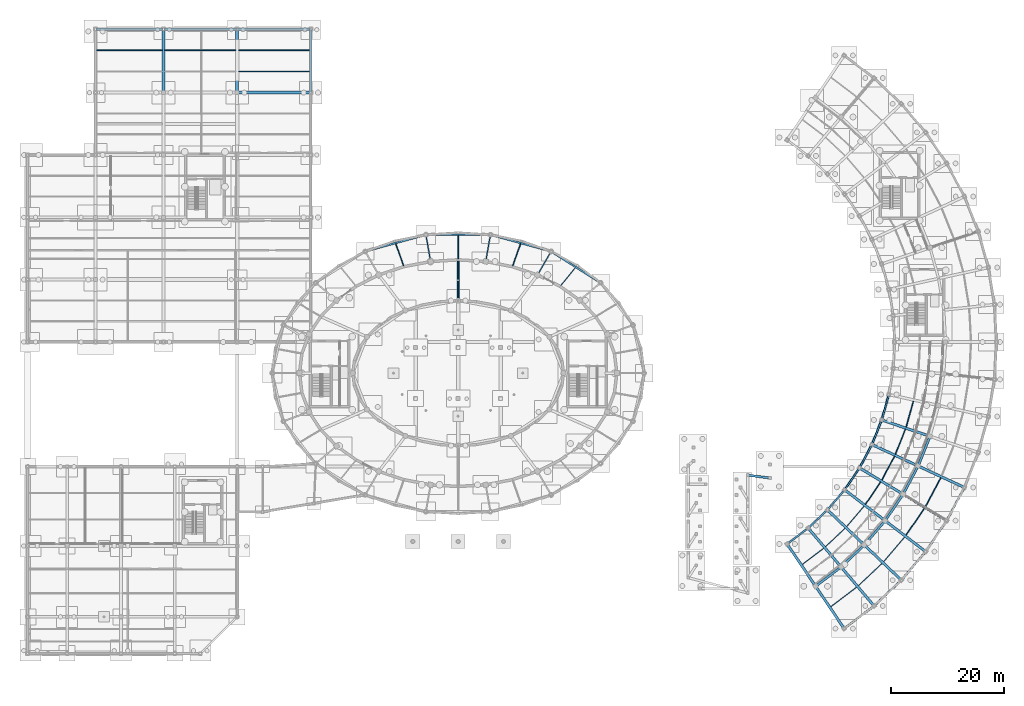
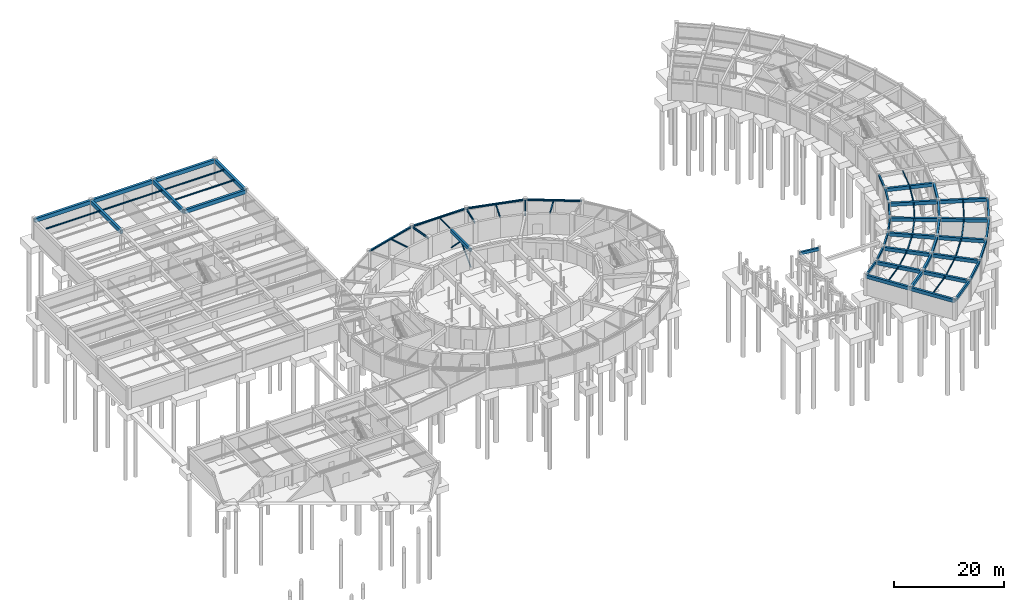
# One storey, part 15 of 42: 67 beams, 2 members.
"""IFC4 building model written with IfcOpenShell, lengths in metres."""

from ifc_helpers import new_model, si_unit, direction, frame, origin, origin_2d, place, context, subcontext, project, spatial, rectangle, hollow_circle, i_section, extrude, material, material_profile, profile_set, type_object, element, save


model = new_model("IFC4")

# Units and contexts
model_context = context("Model", 3, precision=1e-05, world=origin(), true_north=direction((0.0, 1.0)))
body_context = subcontext(model_context, "Body", "Model", "MODEL_VIEW")
ifc_project = project(units=[si_unit("LENGTHUNIT", "METRE"), si_unit("AREAUNIT", "SQUARE_METRE"), si_unit("VOLUMEUNIT", "CUBIC_METRE"), si_unit("PLANEANGLEUNIT", "RADIAN"), si_unit("MASSUNIT", "GRAM", prefix="KILO")], contexts=[model_context])

# Site, building, storey
site_placement = place(None, origin())
site = spatial("IfcSite", under=ifc_project, at=site_placement, CompositionType="ELEMENT")
building_placement = place(site_placement, origin())
building = spatial("IfcBuilding", under=site, at=building_placement, Name="Tarnveldt Headland Concert Hall", CompositionType="ELEMENT")
storey_placement = place(building_placement, frame((0.0, 0.0, -4.800048828125)))
storey = spatial("IfcBuildingStorey", under=building, at=storey_placement, Name="B1", CompositionType="ELEMENT", Elevation=-4.800048828125)

# Members
ifc_material_1 = material(Name="Steel S355", Category="steel")
ifc_material_profile_1 = material_profile(ifc_material_1, hollow_circle(Radius=0.136474609375, WallThickness=0.01611328125, at=origin_2d()), Name="CHS 273x16", Category="steel")
ifc_profile_set_1 = profile_set([ifc_material_profile_1], Name="Steel S355")
member_type = type_object("IfcMemberType", Name="BR-CHS273", PredefinedType="BRACE", material=ifc_profile_set_1)
member_1_placement = place(storey_placement, frame((83.5, 67.300048828125, 0.300048828125), z_axis=(0.0, 0.702208523079, 0.711971340796), x_axis=(-1.0, 0.0, 0.0)))
element("IfcMember", 1, at=member_1_placement, inside=storey, type_object=member_type, Name="Acoustic drum chevron brace B1-5A", PredefinedType="BRACE", context=body_context, shape_type="SweptSolid", body=[
    extrude(hollow_circle(Radius=0.136474609375, WallThickness=0.01611328125, at=origin_2d()), origin(), (0.0, 0.0, 1.0), 5.12646484375),
])
member_2_placement = place(storey_placement, frame((83.5, 74.5, 0.300048828125), z_axis=(0.0, -0.702232662373, 0.711947531702), x_axis=(1.0, 0.0, 0.0)))
element("IfcMember", 2, at=member_2_placement, inside=storey, type_object=member_type, Name="Acoustic drum chevron brace B1-5B", PredefinedType="BRACE", context=body_context, shape_type="SweptSolid", body=[
    extrude(hollow_circle(Radius=0.136474609375, WallThickness=0.01611328125, at=origin_2d()), origin(), (0.0, 0.0, 1.0), 5.126708984375),
])

# Beams
ifc_material_2 = material(Name="Concrete C40/50", Category="concrete")
ifc_material_profile_2 = material_profile(ifc_material_2, rectangle(XDim=0.39990234375, YDim=0.64990234375, at=origin_2d()), Name="RC 400x650", Category="concrete")
ifc_profile_set_2 = profile_set([ifc_material_profile_2], Name="Concrete C40/50")
beam_type_1 = type_object("IfcBeamType", Name="CB-400x650", PredefinedType="BEAM", material=ifc_profile_set_2)
beam_1_placement = place(storey_placement, frame((146.625732421875, 16.92626953125, 4.175048828125), z_axis=(0.79747936857, 0.603346216285, 0.0), x_axis=(-0.603346216285, 0.79747936857, 0.0)))
element("IfcBeam", 3, at=beam_1_placement, inside=storey, type_object=beam_type_1, Name="Framing beam B1-85", PredefinedType="BEAM", context=body_context, shape_type="SweptSolid", body=[
    extrude(rectangle(XDim=0.39990234375, YDim=0.64990234375, at=origin_2d()), origin(), (0.0, 0.0, 1.0), 5.524658203125),
])
for number, where, z_axis, x_axis, name in (
    (4, (151.122802734375, 20.3369140625, 4.175048828125), (0.727401560734, 0.686212044081, 0.0), (-0.686212044081, 0.727401560734, 0.0), "Framing beam B1-92"),
    (5, (155.2236328125, 24.214599609375, 4.175048828125), (0.648725364662, 0.761022602322, 0.0), (-0.761022602322, 0.648725364662, 0.0), "Framing beam B1-99"),
):
    element("IfcBeam", number, at=place(storey_placement, frame(where, z_axis=z_axis, x_axis=x_axis)), inside=storey, type_object=beam_type_1, Name=name, PredefinedType="BEAM", context=body_context, shape_type="SweptSolid", body=[
        extrude(rectangle(XDim=0.39990234375, YDim=0.64990234375, at=origin_2d()), origin(), (0.0, 0.0, 1.0), 5.524169921875),
    ])
for number, where, z_axis, x_axis, name in (
    (6, (158.8798828125, 28.51416015625, 4.175048828125), (0.562436935029, 0.826840186563, 0.0), (-0.826840186563, 0.562436935029, 0.0), "Framing beam B1-106"),
    (7, (162.048828125, 33.1845703125, 4.175048828125), (0.469470779484, 0.882948009348, 0.0), (-0.882948009348, 0.469470779484, 0.0), "Framing beam B1-113"),
    (8, (164.69287109375, 38.1708984375, 4.175048828125), (0.370963937019, 0.928647272882, 0.0), (-0.928647272882, 0.370963937019, 0.0), "Framing beam B1-120"),
):
    element("IfcBeam", number, at=place(storey_placement, frame(where, z_axis=z_axis, x_axis=x_axis)), inside=storey, type_object=beam_type_1, Name=name, PredefinedType="BEAM", context=body_context, shape_type="SweptSolid", body=[
        extrude(rectangle(XDim=0.39990234375, YDim=0.64990234375, at=origin_2d()), origin(), (0.0, 0.0, 1.0), 5.5244140625),
    ])
beam_2_placement = place(storey_placement, frame((134.6396484375, 36.494873046875, 4.175048828125), z_axis=(0.991883919431, -0.127146727738, 0.0), x_axis=(0.127146727738, 0.991883919431, 0.0)))
element("IfcBeam", 9, at=beam_2_placement, inside=storey, type_object=beam_type_1, Name="Framing beam B1-1438", PredefinedType="BEAM", context=body_context, shape_type="SweptSolid", body=[
    extrude(rectangle(XDim=0.39990234375, YDim=0.64990234375, at=origin_2d()), origin(), (0.0, 0.0, 1.0), 3.851806640625),
])
ifc_material_profile_3 = material_profile(ifc_material_2, rectangle(XDim=0.449951171875, YDim=0.75, at=origin_2d()), Name="RC 450x750", Category="concrete")
ifc_profile_set_3 = profile_set([ifc_material_profile_3], Name="Concrete C40/50")
beam_type_2 = type_object("IfcBeamType", Name="CB-450x750", PredefinedType="BEAM", material=ifc_profile_set_3)
beam_3_placement = place(storey_placement, frame((83.5, 67.340087890625, 4.125), z_axis=(0.0, 1.0, 0.0), x_axis=(-1.0, 0.0, 0.0)))
element("IfcBeam", 10, at=beam_3_placement, inside=storey, type_object=beam_type_2, Name="Framing beam B1-61", PredefinedType="BEAM", context=body_context, shape_type="SweptSolid", body=[
    extrude(rectangle(XDim=0.449951171875, YDim=0.75, at=origin_2d()), origin(), (0.0, 0.0, 1.0), 7.119873046875),
])
beam_4_placement = place(storey_placement, frame((141.578857421875, 24.3017578125, 4.125), z_axis=(0.559177704886, -0.829047823927, 0.0), x_axis=(0.829047823927, 0.559177704886, 0.0)))
element("IfcBeam", 11, at=beam_4_placement, inside=storey, type_object=beam_type_2, Name="Framing beam B1-82", PredefinedType="BEAM", context=body_context, shape_type="SweptSolid", body=[
    extrude(rectangle(XDim=0.449951171875, YDim=0.75, at=origin_2d()), origin(), (0.0, 0.0, 1.0), 8.880126953125),
])
beam_5_placement = place(storey_placement, frame((146.611572265625, 16.84033203125, 4.125), z_axis=(0.5591904504, -0.829039227167, 0.0), x_axis=(0.829039227167, 0.5591904504, 0.0)))
element("IfcBeam", 12, at=beam_5_placement, inside=storey, type_object=beam_type_2, Name="Framing beam B1-83", PredefinedType="BEAM", context=body_context, shape_type="SweptSolid", body=[
    extrude(rectangle(XDim=0.449951171875, YDim=0.75, at=origin_2d()), origin(), (0.0, 0.0, 1.0), 8.8798828125),
])
for number, where, z_axis, x_axis, name in (
    (13, (145.30615234375, 27.12158203125, 4.125), (0.645759819996, -0.763540604604, 0.0), (0.763540604604, 0.645759819996, 0.0), "Framing beam B1-89"),
    (14, (151.117919921875, 20.249755859375, 4.125), (0.645759819996, -0.763540604604, 0.0), (0.763540604604, 0.645759819996, 0.0), "Framing beam B1-90"),
):
    element("IfcBeam", number, at=place(storey_placement, frame(where, z_axis=z_axis, x_axis=x_axis)), inside=storey, type_object=beam_type_2, Name=name, PredefinedType="BEAM", context=body_context, shape_type="SweptSolid", body=[
        extrude(rectangle(XDim=0.449951171875, YDim=0.75, at=origin_2d()), origin(), (0.0, 0.0, 1.0), 8.880126953125),
    ])
for number, where, z_axis, x_axis, name in (
    (15, (148.705810546875, 30.3291015625, 4.125), (0.724698020854, -0.689066599517, 0.0), (0.689066599517, 0.724698020854, 0.0), "Framing beam B1-96"),
    (16, (155.228271484375, 24.127685546875, 4.125), (0.724698020854, -0.689066599517, 0.0), (0.689066599517, 0.724698020854, 0.0), "Framing beam B1-97"),
):
    element("IfcBeam", number, at=place(storey_placement, frame(where, z_axis=z_axis, x_axis=x_axis)), inside=storey, type_object=beam_type_2, Name=name, PredefinedType="BEAM", context=body_context, shape_type="SweptSolid", body=[
        extrude(rectangle(XDim=0.449951171875, YDim=0.75, at=origin_2d()), origin(), (0.0, 0.0, 1.0), 8.8798828125),
    ])
beam_6_placement = place(storey_placement, frame((151.73779296875, 33.88623046875, 4.125), z_axis=(0.795127420909, -0.6064424, 0.0), x_axis=(0.6064424, 0.795127420909, 0.0)))
element("IfcBeam", 17, at=beam_6_placement, inside=storey, type_object=beam_type_2, Name="Framing beam B1-103", PredefinedType="BEAM", context=body_context, shape_type="SweptSolid", body=[
    extrude(rectangle(XDim=0.449951171875, YDim=0.75, at=origin_2d()), origin(), (0.0, 0.0, 1.0), 8.880126953125),
])
beam_7_placement = place(storey_placement, frame((158.89404296875, 28.427978515625, 4.125), z_axis=(0.795130566959, -0.606438275084, 0.0), x_axis=(0.606438275084, 0.795130566959, 0.0)))
element("IfcBeam", 18, at=beam_7_placement, inside=storey, type_object=beam_type_2, Name="Framing beam B1-104", PredefinedType="BEAM", context=body_context, shape_type="SweptSolid", body=[
    extrude(rectangle(XDim=0.449951171875, YDim=0.75, at=origin_2d()), origin(), (0.0, 0.0, 1.0), 8.879638671875),
])
beam_8_placement = place(storey_placement, frame((154.36669921875, 37.7509765625, 4.125), z_axis=(0.856155786083, -0.516717785602, 0.0), x_axis=(0.516717785602, 0.856155786083, 0.0)))
element("IfcBeam", 19, at=beam_8_placement, inside=storey, type_object=beam_type_2, Name="Framing beam B1-110", PredefinedType="BEAM", context=body_context, shape_type="SweptSolid", body=[
    extrude(rectangle(XDim=0.449951171875, YDim=0.75, at=origin_2d()), origin(), (0.0, 0.0, 1.0), 8.8798828125),
])
for number, where, z_axis, x_axis, name in (
    (20, (162.072021484375, 33.1005859375, 4.125), (0.856163126583, -0.516705622845, 0.0), (0.516705622845, 0.856163126583, 0.0), "Framing beam B1-111"),
    (21, (156.560791015625, 41.877685546875, 4.125), (0.907136064141, -0.420837452153, 0.0), (0.420837452153, 0.907136064141, 0.0), "Framing beam B1-117"),
    (22, (164.724853515625, 38.090087890625, 4.125), (0.907125568287, -0.420860075749, 0.0), (0.420860075749, 0.907125568287, 0.0), "Framing beam B1-118"),
):
    element("IfcBeam", number, at=place(storey_placement, frame(where, z_axis=z_axis, x_axis=x_axis)), inside=storey, type_object=beam_type_2, Name=name, PredefinedType="BEAM", context=body_context, shape_type="SweptSolid", body=[
        extrude(rectangle(XDim=0.449951171875, YDim=0.75, at=origin_2d()), origin(), (0.0, 0.0, 1.0), 8.880126953125),
    ])
beam_9_placement = place(storey_placement, frame((158.294921875, 46.218017578125, 4.125), z_axis=(0.947399878297, -0.320052293545, 0.0), x_axis=(0.320052293545, 0.947399878297, 0.0)))
element("IfcBeam", 23, at=beam_9_placement, inside=storey, type_object=beam_type_2, Name="Framing beam B1-124", PredefinedType="BEAM", context=body_context, shape_type="SweptSolid", body=[
    extrude(rectangle(XDim=0.449951171875, YDim=0.75, at=origin_2d()), origin(), (0.0, 0.0, 1.0), 8.8798828125),
])
ifc_material_profile_4 = material_profile(ifc_material_2, rectangle(XDim=0.5, YDim=0.85009765625, at=origin_2d()), Name="RC 500x850", Category="concrete")
ifc_profile_set_4 = profile_set([ifc_material_profile_4], Name="Concrete C40/50")
beam_type_3 = type_object("IfcBeamType", Name="CB-500x850", PredefinedType="BEAM", material=ifc_profile_set_4)
beam_10_placement = place(storey_placement, frame((44.56005859375, 104.0, 4.074951171875), z_axis=(1.0, 0.0, 0.0), x_axis=(0.0, 1.0, 0.0)))
element("IfcBeam", 24, at=beam_10_placement, inside=storey, type_object=beam_type_3, Name="Framing beam B1-287", PredefinedType="BEAM", context=body_context, shape_type="SweptSolid", body=[
    extrude(rectangle(XDim=0.5, YDim=0.85009765625, at=origin_2d()), origin(), (0.0, 0.0, 1.0), 12.8798828125),
])
beam_11_placement = place(storey_placement, frame((19.56005859375, 115.199951171875, 4.074951171875), z_axis=(1.0, 0.0, 0.0), x_axis=(0.0, 1.0, 0.0)))
element("IfcBeam", 25, at=beam_11_placement, inside=storey, type_object=beam_type_3, Name="Framing beam B1-288", PredefinedType="BEAM", context=body_context, shape_type="SweptSolid", body=[
    extrude(rectangle(XDim=0.5, YDim=0.85009765625, at=origin_2d()), origin(), (0.0, 0.0, 1.0), 11.8798828125),
])
for number, where, z_axis, x_axis, name in (
    (26, (31.56005859375, 115.199951171875, 4.074951171875), (1.0, 0.0, 0.0), (0.0, 1.0, 0.0), "Framing beam B1-289"),
    (27, (44.56005859375, 115.199951171875, 4.074951171875), (1.0, 0.0, 0.0), (0.0, 1.0, 0.0), "Framing beam B1-290"),
):
    element("IfcBeam", number, at=place(storey_placement, frame(where, z_axis=z_axis, x_axis=x_axis)), inside=storey, type_object=beam_type_3, Name=name, PredefinedType="BEAM", context=body_context, shape_type="SweptSolid", body=[
        extrude(rectangle(XDim=0.5, YDim=0.85009765625, at=origin_2d()), origin(), (0.0, 0.0, 1.0), 12.8798828125),
    ])
for number, where, z_axis, x_axis, name in (
    (28, (31.5, 104.06005859375, 4.074951171875), (0.0, 1.0, 0.0), (-1.0, 0.0, 0.0), "Framing beam B1-323"),
    (29, (44.5, 104.06005859375, 4.074951171875), (0.0, 1.0, 0.0), (-1.0, 0.0, 0.0), "Framing beam B1-338"),
    (30, (57.5, 104.06005859375, 4.074951171875), (0.0, 1.0, 0.0), (-1.0, 0.0, 0.0), "Framing beam B1-345"),
):
    element("IfcBeam", number, at=place(storey_placement, frame(where, z_axis=z_axis, x_axis=x_axis)), inside=storey, type_object=beam_type_3, Name=name, PredefinedType="BEAM", context=body_context, shape_type="SweptSolid", body=[
        extrude(rectangle(XDim=0.5, YDim=0.85009765625, at=origin_2d()), origin(), (0.0, 0.0, 1.0), 11.079833984375),
    ])
ifc_material_profile_5 = material_profile(ifc_material_1, i_section(OverallWidth=0.300048828125, OverallDepth=0.35009765625, WebThickness=0.010009765625, FlangeThickness=0.017578125, FilletRadius=0.027099609375, at=origin_2d()), Name="HEA360", Category="steel")
ifc_profile_set_5 = profile_set([ifc_material_profile_5], Name="Steel S355")
beam_type_4 = type_object("IfcBeamType", Name="SB-HEA360", PredefinedType="SPANDREL", material=ifc_profile_set_5)
beam_12_placement = place(storey_placement, frame((108.57568359375, 70.47314453125, 4.324951171875), z_axis=(-0.844390967344, 0.535727444012, 0.0), x_axis=(-0.535727444012, -0.844390967344, 0.0)))
element("IfcBeam", 31, at=beam_12_placement, inside=storey, type_object=beam_type_4, Name="Framing beam B1-7", PredefinedType="SPANDREL", context=body_context, shape_type="SweptSolid", body=[
    extrude(i_section(OverallWidth=0.300048828125, OverallDepth=0.35009765625, WebThickness=0.010009765625, FlangeThickness=0.017578125, FilletRadius=0.027099609375, at=origin_2d()), origin(), (0.0, 0.0, 1.0), 10.21435546875),
])
beam_13_placement = place(storey_placement, frame((99.84228515625, 75.993408203125, 4.324951171875), z_axis=(-0.964161617091, 0.265315616065, 0.0), x_axis=(-0.265315616065, -0.964161617091, 0.0)))
element("IfcBeam", 32, at=beam_13_placement, inside=storey, type_object=beam_type_4, Name="Framing beam B1-10", PredefinedType="SPANDREL", context=body_context, shape_type="SweptSolid", body=[
    extrude(i_section(OverallWidth=0.300048828125, OverallDepth=0.35009765625, WebThickness=0.010009765625, FlangeThickness=0.017578125, FilletRadius=0.027099609375, at=origin_2d()), origin(), (0.0, 0.0, 1.0), 10.982421875),
])
beam_14_placement = place(storey_placement, frame((89.1357421875, 78.923095703125, 4.324951171875), z_axis=(-1.0, 0.0, 0.0), x_axis=(0.0, -1.0, 0.0)))
element("IfcBeam", 33, at=beam_14_placement, inside=storey, type_object=beam_type_4, Name="Framing beam B1-13", PredefinedType="SPANDREL", context=body_context, shape_type="SweptSolid", body=[
    extrude(i_section(OverallWidth=0.300048828125, OverallDepth=0.35009765625, WebThickness=0.010009765625, FlangeThickness=0.017578125, FilletRadius=0.027099609375, at=origin_2d()), origin(), (0.0, 0.0, 1.0), 11.271484375),
])
beam_15_placement = place(storey_placement, frame((77.74658203125, 78.9072265625, 4.324951171875), z_axis=(-0.964161617091, -0.265315616065, 0.0), x_axis=(0.265315616065, -0.964161617091, 0.0)))
element("IfcBeam", 34, at=beam_15_placement, inside=storey, type_object=beam_type_4, Name="Framing beam B1-16", PredefinedType="SPANDREL", context=body_context, shape_type="SweptSolid", body=[
    extrude(i_section(OverallWidth=0.300048828125, OverallDepth=0.35009765625, WebThickness=0.010009765625, FlangeThickness=0.017578125, FilletRadius=0.027099609375, at=origin_2d()), origin(), (0.0, 0.0, 1.0), 10.982421875),
])
ifc_material_profile_6 = material_profile(ifc_material_1, i_section(OverallWidth=0.14990234375, OverallDepth=0.300048828125, WebThickness=0.007080078125, FlangeThickness=0.0107421875, FilletRadius=0.014892578125, at=origin_2d()), Name="IPE300", Category="steel")
ifc_profile_set_6 = profile_set([ifc_material_profile_6], Name="Steel S355")
beam_type_5 = type_object("IfcBeamType", Name="SB-IPE300", PredefinedType="JOIST", material=ifc_profile_set_6)
beam_16_placement = place(storey_placement, frame((101.608642578125, 69.95654296875, 4.35009765625), z_axis=(0.63225535632, 0.774760068928, 0.0), x_axis=(-0.774760068928, 0.63225535632, 0.0)))
element("IfcBeam", 35, at=beam_16_placement, inside=storey, type_object=beam_type_5, Name="Framing beam B1-9", PredefinedType="JOIST", context=body_context, shape_type="SweptSolid", body=[
    extrude(i_section(OverallWidth=0.14990234375, OverallDepth=0.300048828125, WebThickness=0.007080078125, FlangeThickness=0.0107421875, FilletRadius=0.014892578125, at=origin_2d()), origin(), (0.0, 0.0, 1.0), 4.04833984375),
])
beam_17_placement = place(storey_placement, frame((93.135009765625, 73.458984375, 4.35009765625), z_axis=(0.33369553072, 0.942680907188, 0.0), x_axis=(-0.942680907188, 0.33369553072, 0.0)))
element("IfcBeam", 36, at=beam_17_placement, inside=storey, type_object=beam_type_5, Name="Framing beam B1-12", PredefinedType="JOIST", context=body_context, shape_type="SweptSolid", body=[
    extrude(i_section(OverallWidth=0.14990234375, OverallDepth=0.300048828125, WebThickness=0.007080078125, FlangeThickness=0.0107421875, FilletRadius=0.014892578125, at=origin_2d()), origin(), (0.0, 0.0, 1.0), 4.083984375),
])
beam_18_placement = place(storey_placement, frame((83.5, 74.675048828125, 4.35009765625), z_axis=(0.0, 1.0, 0.0), x_axis=(-1.0, 0.0, 0.0)))
element("IfcBeam", 37, at=beam_18_placement, inside=storey, type_object=beam_type_5, Name="Framing beam B1-15", PredefinedType="JOIST", context=body_context, shape_type="SweptSolid", body=[
    extrude(i_section(OverallWidth=0.14990234375, OverallDepth=0.300048828125, WebThickness=0.007080078125, FlangeThickness=0.0107421875, FilletRadius=0.014892578125, at=origin_2d()), origin(), (0.0, 0.0, 1.0), 4.09814453125),
])
beam_19_placement = place(storey_placement, frame((73.864990234375, 73.458984375, 4.35009765625), z_axis=(-0.33369553072, 0.942680907188, 0.0), x_axis=(-0.942680907188, -0.33369553072, 0.0)))
element("IfcBeam", 38, at=beam_19_placement, inside=storey, type_object=beam_type_5, Name="Framing beam B1-18", PredefinedType="JOIST", context=body_context, shape_type="SweptSolid", body=[
    extrude(i_section(OverallWidth=0.14990234375, OverallDepth=0.300048828125, WebThickness=0.007080078125, FlangeThickness=0.0107421875, FilletRadius=0.014892578125, at=origin_2d()), origin(), (0.0, 0.0, 1.0), 4.083984375),
])
beam_20_placement = place(storey_placement, frame((144.2412109375, 20.756591796875, 4.35009765625), z_axis=(0.797483973643, 0.603340129432, 0.0), x_axis=(-0.603340129432, 0.797483973643, 0.0)))
element("IfcBeam", 39, at=beam_20_placement, inside=storey, type_object=beam_type_5, Name="Framing beam B1-87", PredefinedType="JOIST", context=body_context, shape_type="SweptSolid", body=[
    extrude(i_section(OverallWidth=0.14990234375, OverallDepth=0.300048828125, WebThickness=0.007080078125, FlangeThickness=0.0107421875, FilletRadius=0.014892578125, at=origin_2d()), origin(), (0.0, 0.0, 1.0), 4.70556640625),
])
beam_21_placement = place(storey_placement, frame((149.273681640625, 13.295166015625, 4.35009765625), z_axis=(0.797482363925, 0.603342257122, 0.0), x_axis=(-0.603342257122, 0.797482363925, 0.0)))
element("IfcBeam", 40, at=beam_21_placement, inside=storey, type_object=beam_type_5, Name="Framing beam B1-88", PredefinedType="JOIST", context=body_context, shape_type="SweptSolid", body=[
    extrude(i_section(OverallWidth=0.14990234375, OverallDepth=0.300048828125, WebThickness=0.007080078125, FlangeThickness=0.0107421875, FilletRadius=0.014892578125, at=origin_2d()), origin(), (0.0, 0.0, 1.0), 5.682861328125),
])
beam_22_placement = place(storey_placement, frame((148.3369140625, 23.885986328125, 4.35009765625), z_axis=(0.727377040492, 0.686238035207, 0.0), x_axis=(-0.686238035207, 0.727377040492, 0.0)))
element("IfcBeam", 41, at=beam_22_placement, inside=storey, type_object=beam_type_5, Name="Framing beam B1-94", PredefinedType="JOIST", context=body_context, shape_type="SweptSolid", body=[
    extrude(i_section(OverallWidth=0.14990234375, OverallDepth=0.300048828125, WebThickness=0.007080078125, FlangeThickness=0.0107421875, FilletRadius=0.014892578125, at=origin_2d()), origin(), (0.0, 0.0, 1.0), 4.7060546875),
])
beam_23_placement = place(storey_placement, frame((154.148681640625, 17.01416015625, 4.35009765625), z_axis=(0.727385964821, 0.686228575754, 0.0), x_axis=(-0.686228575754, 0.727385964821, 0.0)))
element("IfcBeam", 42, at=beam_23_placement, inside=storey, type_object=beam_type_5, Name="Framing beam B1-95", PredefinedType="JOIST", context=body_context, shape_type="SweptSolid", body=[
    extrude(i_section(OverallWidth=0.14990234375, OverallDepth=0.300048828125, WebThickness=0.007080078125, FlangeThickness=0.0107421875, FilletRadius=0.014892578125, at=origin_2d()), origin(), (0.0, 0.0, 1.0), 5.682861328125),
])
beam_24_placement = place(storey_placement, frame((152.069580078125, 27.44091796875, 4.35009765625), z_axis=(0.648686890774, 0.761055397286, 0.0), x_axis=(-0.761055397286, 0.648686890774, 0.0)))
element("IfcBeam", 43, at=beam_24_placement, inside=storey, type_object=beam_type_5, Name="Framing beam B1-101", PredefinedType="JOIST", context=body_context, shape_type="SweptSolid", body=[
    extrude(i_section(OverallWidth=0.14990234375, OverallDepth=0.300048828125, WebThickness=0.007080078125, FlangeThickness=0.0107421875, FilletRadius=0.014892578125, at=origin_2d()), origin(), (0.0, 0.0, 1.0), 4.7060546875),
])
beam_25_placement = place(storey_placement, frame((158.591796875, 21.239501953125, 4.35009765625), z_axis=(0.64872275513, 0.76102482678, 0.0), x_axis=(-0.76102482678, 0.64872275513, 0.0)))
element("IfcBeam", 44, at=beam_25_placement, inside=storey, type_object=beam_type_5, Name="Framing beam B1-102", PredefinedType="JOIST", context=body_context, shape_type="SweptSolid", body=[
    extrude(i_section(OverallWidth=0.14990234375, OverallDepth=0.300048828125, WebThickness=0.007080078125, FlangeThickness=0.0107421875, FilletRadius=0.014892578125, at=origin_2d()), origin(), (0.0, 0.0, 1.0), 5.682861328125),
])
beam_26_placement = place(storey_placement, frame((155.394775390625, 31.379638671875, 4.35009765625), z_axis=(0.562422118393, 0.826850265007, 0.0), x_axis=(-0.826850265007, 0.562422118393, 0.0)))
element("IfcBeam", 45, at=beam_26_placement, inside=storey, type_object=beam_type_5, Name="Framing beam B1-108", PredefinedType="JOIST", context=body_context, shape_type="SweptSolid", body=[
    extrude(i_section(OverallWidth=0.14990234375, OverallDepth=0.300048828125, WebThickness=0.007080078125, FlangeThickness=0.0107421875, FilletRadius=0.014892578125, at=origin_2d()), origin(), (0.0, 0.0, 1.0), 4.7060546875),
])
beam_27_placement = place(storey_placement, frame((162.55078125, 25.92138671875, 4.35009765625), z_axis=(0.562379346424, 0.826879356808, 0.0), x_axis=(-0.826879356808, 0.562379346424, 0.0)))
element("IfcBeam", 46, at=beam_27_placement, inside=storey, type_object=beam_type_5, Name="Framing beam B1-109", PredefinedType="JOIST", context=body_context, shape_type="SweptSolid", body=[
    extrude(i_section(OverallWidth=0.14990234375, OverallDepth=0.300048828125, WebThickness=0.007080078125, FlangeThickness=0.0107421875, FilletRadius=0.014892578125, at=origin_2d()), origin(), (0.0, 0.0, 1.0), 5.68310546875),
])
beam_28_placement = place(storey_placement, frame((158.2734375, 35.655517578125, 4.35009765625), z_axis=(0.469505422059, 0.882929588731, 0.0), x_axis=(-0.882929588731, 0.469505422059, 0.0)))
element("IfcBeam", 47, at=beam_28_placement, inside=storey, type_object=beam_type_5, Name="Framing beam B1-115", PredefinedType="JOIST", context=body_context, shape_type="SweptSolid", body=[
    extrude(i_section(OverallWidth=0.14990234375, OverallDepth=0.300048828125, WebThickness=0.007080078125, FlangeThickness=0.0107421875, FilletRadius=0.014892578125, at=origin_2d()), origin(), (0.0, 0.0, 1.0), 4.7060546875),
])
beam_29_placement = place(storey_placement, frame((165.97900390625, 31.005126953125, 4.35009765625), z_axis=(0.469481870432, 0.882942112109, 0.0), x_axis=(-0.882942112109, 0.469481870432, 0.0)))
element("IfcBeam", 48, at=beam_29_placement, inside=storey, type_object=beam_type_5, Name="Framing beam B1-116", PredefinedType="JOIST", context=body_context, shape_type="SweptSolid", body=[
    extrude(i_section(OverallWidth=0.14990234375, OverallDepth=0.300048828125, WebThickness=0.007080078125, FlangeThickness=0.0107421875, FilletRadius=0.014892578125, at=origin_2d()), origin(), (0.0, 0.0, 1.0), 5.682861328125),
])
for number, where, z_axis, x_axis, name in (
    (49, (160.672119140625, 40.218017578125, 4.35009765625), (0.370943390212, 0.92865548039, 0.0), (-0.92865548039, 0.370943390212, 0.0), "Framing beam B1-122"),
    (50, (162.5615234375, 45.013916015625, 4.35009765625), (0.268219103266, 0.96335793589, 0.0), (-0.96335793589, 0.268219103266, 0.0), "Framing beam B1-129"),
):
    element("IfcBeam", number, at=place(storey_placement, frame(where, z_axis=z_axis, x_axis=x_axis)), inside=storey, type_object=beam_type_5, Name=name, PredefinedType="JOIST", context=body_context, shape_type="SweptSolid", body=[
        extrude(i_section(OverallWidth=0.14990234375, OverallDepth=0.300048828125, WebThickness=0.007080078125, FlangeThickness=0.0107421875, FilletRadius=0.014892578125, at=origin_2d()), origin(), (0.0, 0.0, 1.0), 4.705810546875),
    ])
beam_30_placement = place(storey_placement, frame((19.75, 111.467041015625, 4.35009765625), z_axis=(1.0, 0.0, 0.0), x_axis=(0.0, 1.0, 0.0)))
element("IfcBeam", 51, at=beam_30_placement, inside=storey, type_object=beam_type_5, Name="Framing beam B1-314", PredefinedType="JOIST", context=body_context, shape_type="SweptSolid", body=[
    extrude(i_section(OverallWidth=0.14990234375, OverallDepth=0.300048828125, WebThickness=0.007080078125, FlangeThickness=0.0107421875, FilletRadius=0.014892578125, at=origin_2d()), origin(), (0.0, 0.0, 1.0), 11.5),
])
for number, where, z_axis, x_axis, name in (
    (52, (31.75, 111.467041015625, 4.35009765625), (1.0, 0.0, 0.0), (0.0, 1.0, 0.0), "Framing beam B1-325"),
    (53, (44.75, 107.73291015625, 4.35009765625), (1.0, 0.0, 0.0), (0.0, 1.0, 0.0), "Framing beam B1-339"),
    (54, (44.75, 111.467041015625, 4.35009765625), (1.0, 0.0, 0.0), (0.0, 1.0, 0.0), "Framing beam B1-340"),
):
    element("IfcBeam", number, at=place(storey_placement, frame(where, z_axis=z_axis, x_axis=x_axis)), inside=storey, type_object=beam_type_5, Name=name, PredefinedType="JOIST", context=body_context, shape_type="SweptSolid", body=[
        extrude(i_section(OverallWidth=0.14990234375, OverallDepth=0.300048828125, WebThickness=0.007080078125, FlangeThickness=0.0107421875, FilletRadius=0.014892578125, at=origin_2d()), origin(), (0.0, 0.0, 1.0), 12.5),
    ])
ifc_material_profile_7 = material_profile(ifc_material_1, i_section(OverallWidth=0.18994140625, OverallDepth=0.449951171875, WebThickness=0.009521484375, FlangeThickness=0.0146484375, FilletRadius=0.02099609375, at=origin_2d()), Name="IPE450", Category="steel")
ifc_profile_set_7 = profile_set([ifc_material_profile_7], Name="Steel S355")
beam_type_6 = type_object("IfcBeamType", Name="SB-IPE450", PredefinedType="BEAM", material=ifc_profile_set_7)
for number, where, z_axis, x_axis, name in (
    (55, (97.52001953125, 71.85498046875, 4.275146484375), (0.500016218704, 0.866016039709, 0.0), (-0.866016039709, 0.500016218704, 0.0), "Framing beam B1-11"),
    (56, (88.368896484375, 74.235595703125, 4.275146484375), (0.173708285572, 0.984797152475, 0.0), (-0.984797152475, 0.173708285572, 0.0), "Framing beam B1-14"),
    (57, (78.631103515625, 74.235595703125, 4.275146484375), (-0.173708285572, 0.984797152475, 0.0), (-0.984797152475, -0.173708285572, 0.0), "Framing beam B1-17"),
):
    element("IfcBeam", number, at=place(storey_placement, frame(where, z_axis=z_axis, x_axis=x_axis)), inside=storey, type_object=beam_type_6, Name=name, PredefinedType="BEAM", context=body_context, shape_type="SweptSolid", body=[
        extrude(i_section(OverallWidth=0.18994140625, OverallDepth=0.449951171875, WebThickness=0.009521484375, FlangeThickness=0.0146484375, FilletRadius=0.02099609375, at=origin_2d()), origin(), (0.0, 0.0, 1.0), 4.699951171875),
    ])
ifc_material_profile_8 = material_profile(ifc_material_2, rectangle(XDim=0.300048828125, YDim=0.5, at=origin_2d()), Name="RC SPANDREL 300x500", Category="concrete")
ifc_profile_set_8 = profile_set([ifc_material_profile_8], Name="Concrete C40/50")
beam_type_7 = type_object("IfcBeamType", Name="SP-300x500", PredefinedType="SPANDREL", material=ifc_profile_set_8)
beam_31_placement = place(storey_placement, frame((141.593017578125, 24.3876953125, 4.25), z_axis=(0.797480390637, 0.603344865355, 0.0), x_axis=(-0.603344865355, 0.797480390637, 0.0)))
element("IfcBeam", 58, at=beam_31_placement, inside=storey, type_object=beam_type_7, Name="Framing beam B1-84", PredefinedType="SPANDREL", context=body_context, shape_type="SweptSolid", body=[
    extrude(rectangle(XDim=0.300048828125, YDim=0.5, at=origin_2d()), origin(), (0.0, 0.0, 1.0), 4.54736328125),
])
beam_32_placement = place(storey_placement, frame((145.31103515625, 27.208740234375, 4.25), z_axis=(0.72739567497, 0.686218283081, 0.0), x_axis=(-0.686218283081, 0.72739567497, 0.0)))
element("IfcBeam", 59, at=beam_32_placement, inside=storey, type_object=beam_type_7, Name="Framing beam B1-91", PredefinedType="SPANDREL", context=body_context, shape_type="SweptSolid", body=[
    extrude(rectangle(XDim=0.300048828125, YDim=0.5, at=origin_2d()), origin(), (0.0, 0.0, 1.0), 4.547607421875),
])
beam_33_placement = place(storey_placement, frame((148.701416015625, 30.416259765625, 4.25), z_axis=(0.648715315983, 0.761031168093, 0.0), x_axis=(-0.761031168093, 0.648715315983, 0.0)))
element("IfcBeam", 60, at=beam_33_placement, inside=storey, type_object=beam_type_7, Name="Framing beam B1-98", PredefinedType="SPANDREL", context=body_context, shape_type="SweptSolid", body=[
    extrude(rectangle(XDim=0.300048828125, YDim=0.5, at=origin_2d()), origin(), (0.0, 0.0, 1.0), 4.54736328125),
])
beam_34_placement = place(storey_placement, frame((151.723876953125, 33.97216796875, 4.25), z_axis=(0.562406932975, 0.826860593898, 0.0), x_axis=(-0.826860593898, 0.562406932975, 0.0)))
element("IfcBeam", 61, at=beam_34_placement, inside=storey, type_object=beam_type_7, Name="Framing beam B1-105", PredefinedType="SPANDREL", context=body_context, shape_type="SweptSolid", body=[
    extrude(rectangle(XDim=0.300048828125, YDim=0.5, at=origin_2d()), origin(), (0.0, 0.0, 1.0), 4.547607421875),
])
for number, where, z_axis, x_axis, name in (
    (62, (154.343505859375, 37.8349609375, 4.25), (0.469450914916, 0.882958571216, 0.0), (-0.882958571216, 0.469450914916, 0.0), "Framing beam B1-112"),
    (63, (156.52880859375, 41.958740234375, 4.25), (0.370983353144, 0.928639516546, 0.0), (-0.928639516546, 0.370983353144, 0.0), "Framing beam B1-119"),
    (64, (158.254150390625, 46.295166015625, 4.25), (0.268169932327, 0.963371624761, 0.0), (-0.963371624761, 0.268169932327, 0.0), "Framing beam B1-126"),
):
    element("IfcBeam", number, at=place(storey_placement, frame(where, z_axis=z_axis, x_axis=x_axis)), inside=storey, type_object=beam_type_7, Name=name, PredefinedType="SPANDREL", context=body_context, shape_type="SweptSolid", body=[
        extrude(rectangle(XDim=0.300048828125, YDim=0.5, at=origin_2d()), origin(), (0.0, 0.0, 1.0), 4.54736328125),
    ])
ifc_material_profile_9 = material_profile(ifc_material_2, rectangle(XDim=0.35009765625, YDim=0.60009765625, at=origin_2d()), Name="RC SPANDREL 350x600", Category="concrete")
ifc_profile_set_9 = profile_set([ifc_material_profile_9], Name="Concrete C40/50")
beam_type_8 = type_object("IfcBeamType", Name="SP-350x600", PredefinedType="SPANDREL", material=ifc_profile_set_9)
beam_35_placement = place(storey_placement, frame((151.65869140625, 9.46484375, 4.199951171875), z_axis=(0.797469381904, 0.603359416041, 0.0), x_axis=(-0.603359416041, 0.797469381904, 0.0)))
element("IfcBeam", 65, at=beam_35_placement, inside=storey, type_object=beam_type_8, Name="Framing beam B1-86", PredefinedType="SPANDREL", context=body_context, shape_type="SweptSolid", body=[
    extrude(rectangle(XDim=0.35009765625, YDim=0.60009765625, at=origin_2d()), origin(), (0.0, 0.0, 1.0), 6.501220703125),
])
beam_36_placement = place(storey_placement, frame((156.9345703125, 13.46484375, 4.199951171875), z_axis=(0.727385871825, 0.686228674328, 0.0), x_axis=(-0.686228674328, 0.727385871825, 0.0)))
element("IfcBeam", 66, at=beam_36_placement, inside=storey, type_object=beam_type_8, Name="Framing beam B1-93", PredefinedType="SPANDREL", context=body_context, shape_type="SweptSolid", body=[
    extrude(rectangle(XDim=0.35009765625, YDim=0.60009765625, at=origin_2d()), origin(), (0.0, 0.0, 1.0), 6.50146484375),
])
for number, where, z_axis, x_axis, name in (
    (67, (161.74609375, 18.01318359375, 4.199951171875), (0.648710643709, 0.761035150791, 0.0), (-0.761035150791, 0.648710643709, 0.0), "Framing beam B1-100"),
    (68, (166.0361328125, 23.05615234375, 4.199951171875), (0.562406572897, 0.826860838813, 0.0), (-0.826860838813, 0.562406572897, 0.0), "Framing beam B1-107"),
):
    element("IfcBeam", number, at=place(storey_placement, frame(where, z_axis=z_axis, x_axis=x_axis)), inside=storey, type_object=beam_type_8, Name=name, PredefinedType="SPANDREL", context=body_context, shape_type="SweptSolid", body=[
        extrude(rectangle(XDim=0.35009765625, YDim=0.60009765625, at=origin_2d()), origin(), (0.0, 0.0, 1.0), 6.5009765625),
    ])
beam_37_placement = place(storey_placement, frame((169.75439453125, 28.5341796875, 4.199951171875), z_axis=(0.469455397466, 0.882956187922, 0.0), x_axis=(-0.882956187922, 0.469455397466, 0.0)))
element("IfcBeam", 69, at=beam_37_placement, inside=storey, type_object=beam_type_8, Name="Framing beam B1-114", PredefinedType="SPANDREL", context=body_context, shape_type="SweptSolid", body=[
    extrude(rectangle(XDim=0.35009765625, YDim=0.60009765625, at=origin_2d()), origin(), (0.0, 0.0, 1.0), 6.501220703125),
])

save(model, "model.ifc")
